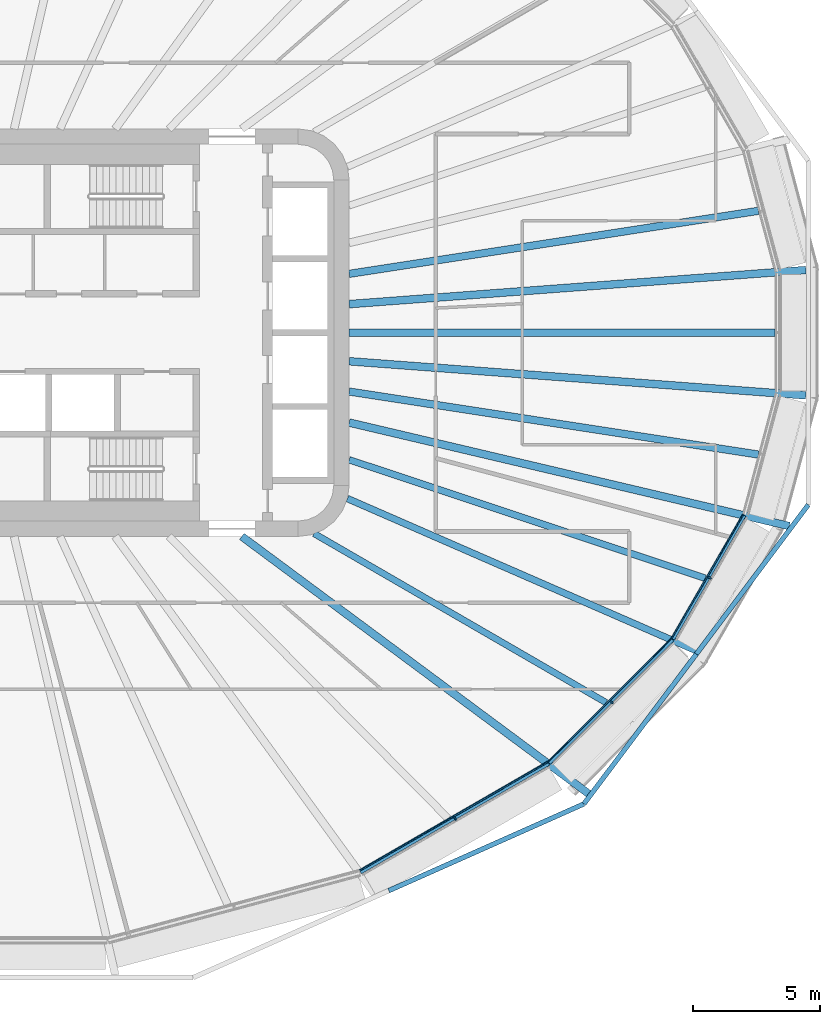
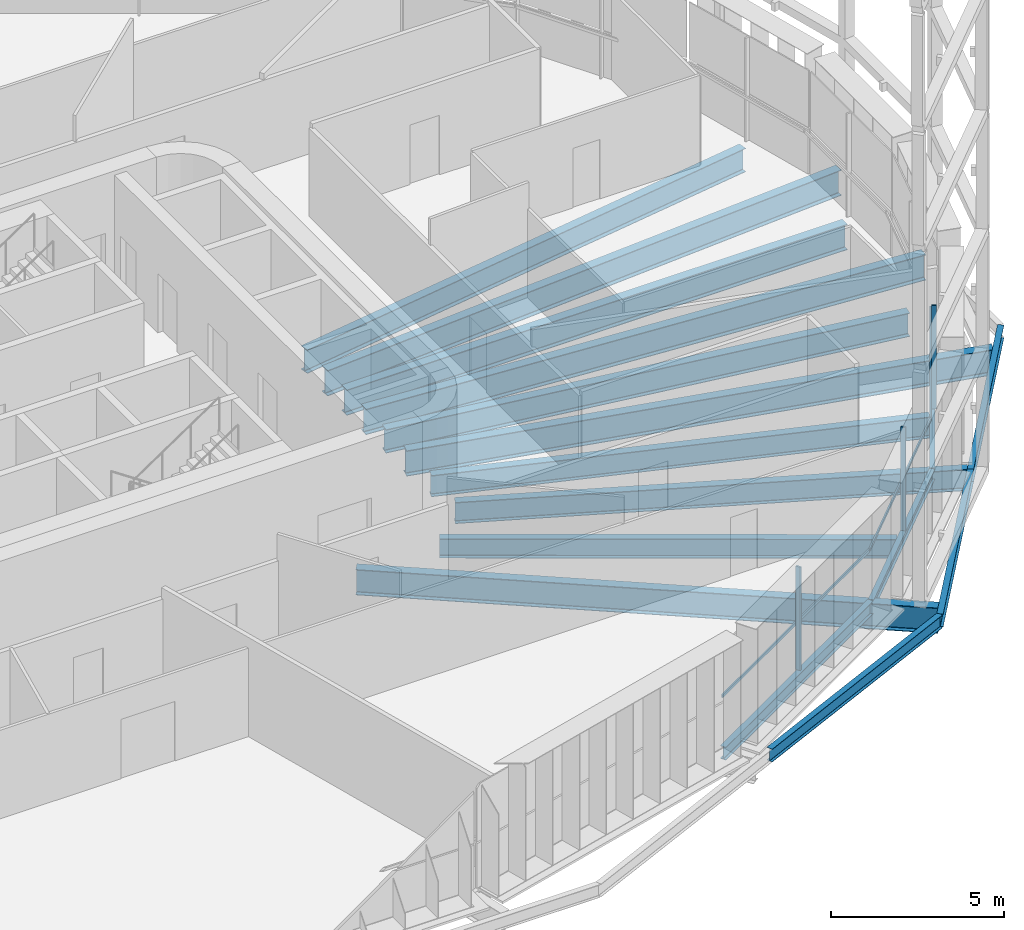
# One storey, part 5 of 26: 16 beams, 6 members, 3 elements without a shape of their own.
"""IFC4 building model written with IfcOpenShell, lengths in metres."""

from ifc_helpers import new_model, si_unit, direction, frame, origin, origin_2d, place, context, subcontext, project, spatial, rectangle, i_section, extrude, material, layer, layer_set, material_profile, profile_set, type_object, element, aggregate, save


model = new_model("IFC4")

# Units and contexts
model_context = context("Model", 3, precision=1e-05, world=origin(), true_north=direction((0.0, 1.0)))
body_context = subcontext(model_context, "Body", "Model", "MODEL_VIEW")
ifc_project = project(units=[si_unit("LENGTHUNIT", "METRE"), si_unit("AREAUNIT", "SQUARE_METRE"), si_unit("VOLUMEUNIT", "CUBIC_METRE"), si_unit("PLANEANGLEUNIT", "RADIAN"), si_unit("MASSUNIT", "GRAM", prefix="KILO")], contexts=[model_context])

# Site, building, storey
site_placement = place(None, origin())
site = spatial("IfcSite", under=ifc_project, at=site_placement, CompositionType="ELEMENT")
building_placement = place(site_placement, origin())
building = spatial("IfcBuilding", under=site, at=building_placement, Name="Sahrelin Media Tower", CompositionType="ELEMENT")
storey_placement = place(building_placement, frame((0.0, 0.0, 102.0)))
storey = spatial("IfcBuildingStorey", under=building, at=storey_placement, Name="L19", CompositionType="ELEMENT", Elevation=102.0)

# Beams
ifc_material_1 = material(Name="Steel S355", Category="steel")
ifc_material_profile_1 = material_profile(ifc_material_1, i_section(OverallWidth=0.1650390625, OverallDepth=0.303466796875, WebThickness=0.006103515625, FlangeThickness=0.01025390625, FilletRadius=0.0087890625, at=origin_2d()), Name="UB 305x165x40")
ifc_profile_set_1 = profile_set([ifc_material_profile_1], Name="Steel S355")
beam_type_1 = type_object("IfcBeamType", Name="Edge beam EB2", PredefinedType="BEAM", material=ifc_profile_set_1)
beam_1_placement = place(storey_placement, frame((30.5048828125, -7.1650390625, -0.3017578125), z_axis=(-0.500017404508, -0.866015355054, 0.0), x_axis=(0.866015355054, -0.500017404508, 0.0)))
element("IfcBeam", 1, at=beam_1_placement, inside=storey, type_object=beam_type_1, Name="Edge beam L19-03", PredefinedType="BEAM", context=body_context, shape_type="SweptSolid", body=[
    extrude(i_section(OverallWidth=0.1650390625, OverallDepth=0.303466796875, WebThickness=0.006103515625, FlangeThickness=0.01025390625, FilletRadius=0.0087890625, at=origin_2d()), origin(), (0.0, 0.0, 1.0), 5.612548828125),
])
ifc_material_profile_2 = material_profile(ifc_material_1, i_section(OverallWidth=0.17138671875, OverallDepth=0.35498046875, WebThickness=0.00732421875, FlangeThickness=0.011474609375, FilletRadius=0.01025390625, at=origin_2d()), Name="UB 356x171x51")
ifc_profile_set_2 = profile_set([ifc_material_profile_2], Name="Steel S355")
beam_type_2 = type_object("IfcBeamType", Name="Edge beam EB3", PredefinedType="BEAM", material=ifc_profile_set_2)
beam_2_placement = place(storey_placement, frame((27.68115234375, -12.048583984375, -0.327392578125), z_axis=(-0.707124646667, -0.707088915255, 0.0), x_axis=(0.707088915255, -0.707124646667, 0.0)))
element("IfcBeam", 2, at=beam_2_placement, inside=storey, type_object=beam_type_2, Name="Edge beam L19-04", PredefinedType="BEAM", context=body_context, shape_type="SweptSolid", body=[
    extrude(i_section(OverallWidth=0.17138671875, OverallDepth=0.35498046875, WebThickness=0.00732421875, FlangeThickness=0.011474609375, FilletRadius=0.01025390625, at=origin_2d()), origin(), (0.0, 0.0, 1.0), 6.832763671875),
])
ifc_material_profile_3 = material_profile(ifc_material_1, i_section(OverallWidth=0.1904296875, OverallDepth=0.45703125, WebThickness=0.009033203125, FlangeThickness=0.014404296875, FilletRadius=0.01025390625, at=origin_2d()), Name="UB 457x191x74")
ifc_profile_set_3 = profile_set([ifc_material_profile_3], Name="Steel S355")
beam_type_3 = type_object("IfcBeamType", Name="Edge beam EB5", PredefinedType="BEAM", material=ifc_profile_set_3)
beam_3_placement = place(storey_placement, frame((22.82666015625, -16.8974609375, -0.37841796875), z_axis=(-0.866017364183, -0.500013924739, 0.0), x_axis=(0.500013924739, -0.866017364183, 0.0)))
element("IfcBeam", 3, at=beam_3_placement, inside=storey, type_object=beam_type_3, Name="Edge beam L19-05", PredefinedType="BEAM", context=body_context, shape_type="SweptSolid", body=[
    extrude(i_section(OverallWidth=0.1904296875, OverallDepth=0.45703125, WebThickness=0.009033203125, FlangeThickness=0.014404296875, FilletRadius=0.01025390625, at=origin_2d()), origin(), (0.0, 0.0, 1.0), 8.531494140625),
])

# Curtain wall, member
ifc_material_2 = material(Name="Champagne anodised aluminium 6063-T6", Category="aluminium")
ifc_layer = layer(ifc_material_2, 0.14990234375)
ifc_layer_set = layer_set([ifc_layer], Name="Tower ribbon curtain wall")
curtain_wall_type = type_object("IfcCurtainWallType", Name="Tower ribbon curtain wall", PredefinedType="NOTDEFINED", material=ifc_layer_set)
curtain_wall_1_placement = place(storey_placement, frame((19.20751953125, -19.160400390625, 0.0), z_axis=(0.0, 0.0, 1.0), x_axis=(1.0, 0.0, 0.0)))
curtain_wall_1 = element("IfcCurtainWall", 4, at=curtain_wall_1_placement, inside=storey, type_object=curtain_wall_type, Name="L19:CW:L19-20", PredefinedType="NOTDEFINED")
ifc_material_profile_4 = material_profile(ifc_material_2, rectangle(XDim=0.06005859375, YDim=0.14990234375, at=origin_2d()), Name="Mullion 60x150")
ifc_profile_set_4 = profile_set([ifc_material_profile_4], Name="Champagne anodised aluminium 6063-T6")
member_type_1 = type_object("IfcMemberType", Name="Mullion 60x150 CW1", PredefinedType="MULLION", material=ifc_profile_set_4)
member_1_placement = place(storey_placement, frame((19.159912109375, -19.077880859375, 0.0), z_axis=(0.0, 0.0, 1.0), x_axis=(0.866024531118, 0.500001511499, 0.0)))
member_1 = element("IfcMember", 5, at=member_1_placement, type_object=member_type_1, Name="L19:CWM:L19-20", PredefinedType="MULLION", context=body_context, shape_type="SweptSolid", body=[
    extrude(rectangle(XDim=0.06005859375, YDim=0.14990234375, at=origin_2d()), origin(), (0.0, 0.0, 1.0), 3.648681640625),
])

curtain_wall_2_placement = place(storey_placement, frame((25.371337890625, -14.5703125, 0.0), z_axis=(0.0, 0.0, 1.0), x_axis=(1.0, 0.0, 0.0)))
curtain_wall_2 = element("IfcCurtainWall", 6, at=curtain_wall_2_placement, inside=storey, type_object=curtain_wall_type, Name="L19:CW:L19-21", PredefinedType="NOTDEFINED")
member_2_placement = place(storey_placement, frame((25.30419921875, -14.503173828125, 0.0), z_axis=(0.0, 0.0, 1.0), x_axis=(0.707106781187, 0.707106781187, 0.0)))
member_2 = element("IfcMember", 7, at=member_2_placement, type_object=member_type_1, Name="L19:CWM:L19-21", PredefinedType="MULLION", context=body_context, shape_type="SweptSolid", body=[
    extrude(rectangle(XDim=0.06005859375, YDim=0.14990234375, at=origin_2d()), origin(), (0.0, 0.0, 1.0), 3.648681640625),
])

curtain_wall_3_placement = place(storey_placement, frame((29.231689453125, -9.67041015625, 0.0), z_axis=(0.0, 0.0, 1.0), x_axis=(1.0, 0.0, 0.0)))
curtain_wall_3 = element("IfcCurtainWall", 8, at=curtain_wall_3_placement, inside=storey, type_object=curtain_wall_type, Name="L19:CW:L19-22", PredefinedType="NOTDEFINED")
member_3_placement = place(storey_placement, frame((29.1494140625, -9.622802734375, 0.0), z_axis=(0.0, 0.0, 1.0), x_axis=(0.500004534492, 0.866022785779, 0.0)))
member_3 = element("IfcMember", 9, at=member_3_placement, type_object=member_type_1, Name="L19:CWM:L19-22", PredefinedType="MULLION", context=body_context, shape_type="SweptSolid", body=[
    extrude(rectangle(XDim=0.06005859375, YDim=0.14990234375, at=origin_2d()), origin(), (0.0, 0.0, 1.0), 3.648681640625),
])

# Beams
ifc_material_profile_5 = material_profile(ifc_material_1, i_section(OverallWidth=0.30322265625, OverallDepth=0.903076171875, WebThickness=0.01513671875, FlangeThickness=0.020263671875, FilletRadius=0.01904296875, at=origin_2d()), Name="UB 914x305x201")
ifc_profile_set_5 = profile_set([ifc_material_profile_5], Name="Steel S355")
beam_type_4 = type_object("IfcBeamType", Name="Radial primary beam PB11", PredefinedType="BEAM", material=ifc_profile_set_5)
beam_4_placement = place(storey_placement, frame((15.0, 1.12109375, -0.6015625), z_axis=(0.997219724808, 0.074517249367, 0.0), x_axis=(-0.074517249367, 0.997219724808, 0.0)))
element("IfcBeam", 10, at=beam_4_placement, inside=storey, type_object=beam_type_4, Name="Radial beam L19-01", PredefinedType="BEAM", context=body_context, shape_type="SweptSolid", body=[
    extrude(i_section(OverallWidth=0.30322265625, OverallDepth=0.903076171875, WebThickness=0.01513671875, FlangeThickness=0.020263671875, FilletRadius=0.01904296875, at=origin_2d()), origin(), (0.0, 0.0, 1.0), 17.983642578125),
])
beam_5_placement = place(storey_placement, frame((10.78466796875, -8.0, -0.6015625), z_axis=(0.803151376875, -0.595775012755, 0.0), x_axis=(0.595775012755, 0.803151376875, 0.0)))
element("IfcBeam", 11, at=beam_5_placement, inside=storey, type_object=beam_type_4, Name="Radial beam L19-21", PredefinedType="BEAM", context=body_context, shape_type="SweptSolid", body=[
    extrude(i_section(OverallWidth=0.30322265625, OverallDepth=0.903076171875, WebThickness=0.01513671875, FlangeThickness=0.020263671875, FilletRadius=0.01904296875, at=origin_2d()), origin(), (0.0, 0.0, 1.0), 16.952880859375),
])
beam_6_placement = place(storey_placement, frame((15.0, -3.528564453125, -0.6015625), z_axis=(0.973431053553, -0.228980313518, 0.0), x_axis=(0.228980313518, 0.973431053553, 0.0)))
element("IfcBeam", 12, at=beam_6_placement, inside=storey, type_object=beam_type_4, Name="Radial beam L19-23", PredefinedType="BEAM", context=body_context, shape_type="SweptSolid", body=[
    extrude(i_section(OverallWidth=0.30322265625, OverallDepth=0.903076171875, WebThickness=0.01513671875, FlangeThickness=0.020263671875, FilletRadius=0.01904296875, at=origin_2d()), origin(), (0.0, 0.0, 1.0), 17.75341796875),
])
beam_7_placement = place(storey_placement, frame((15.0, -1.12109375, -0.6015625), z_axis=(0.997219724808, -0.074517249367, 0.0), x_axis=(0.074517249367, 0.997219724808, 0.0)))
element("IfcBeam", 13, at=beam_7_placement, inside=storey, type_object=beam_type_4, Name="Radial beam L19-24", PredefinedType="BEAM", context=body_context, shape_type="SweptSolid", body=[
    extrude(i_section(OverallWidth=0.30322265625, OverallDepth=0.903076171875, WebThickness=0.01513671875, FlangeThickness=0.020263671875, FilletRadius=0.01904296875, at=origin_2d()), origin(), (0.0, 0.0, 1.0), 17.983642578125),
])
ifc_material_profile_6 = material_profile(ifc_material_1, i_section(OverallWidth=0.26513671875, OverallDepth=0.75390625, WebThickness=0.0126953125, FlangeThickness=0.017578125, FilletRadius=0.0166015625, at=origin_2d()), Name="UB 762x267x147")
ifc_profile_set_6 = profile_set([ifc_material_profile_6], Name="Steel S355")
beam_type_5 = type_object("IfcBeamType", Name="Radial primary beam PB9", PredefinedType="BEAM", material=ifc_profile_set_6)
beam_8_placement = place(storey_placement, frame((14.9326171875, -6.512939453125, -0.527099609375), z_axis=(0.916601932833, -0.399801071442, 0.0), x_axis=(0.399801071442, 0.916601932833, 0.0)))
element("IfcBeam", 14, at=beam_8_placement, inside=storey, type_object=beam_type_5, Name="Radial beam L19-22", PredefinedType="BEAM", context=body_context, shape_type="SweptSolid", body=[
    extrude(i_section(OverallWidth=0.26513671875, OverallDepth=0.75390625, WebThickness=0.0126953125, FlangeThickness=0.017578125, FilletRadius=0.0166015625, at=origin_2d()), origin(), (0.0, 0.0, 1.0), 14.927978515625),
])
ifc_material_profile_7 = material_profile(ifc_material_1, i_section(OverallWidth=0.291748046875, OverallDepth=0.8349609375, WebThickness=0.013916015625, FlangeThickness=0.018798828125, FilletRadius=0.017822265625, at=origin_2d()), Name="UB 838x292x176")
ifc_profile_set_7 = profile_set([ifc_material_profile_7], Name="Steel S355")
beam_type_6 = type_object("IfcBeamType", Name="Radial secondary beam SB10", PredefinedType="BEAM", material=ifc_profile_set_7)
for number, where, z_axis, x_axis, name in (
    (15, (15.0, 2.310302734375, -0.5673828125), (0.988347036521, 0.152217395197, 0.0), (-0.152217395197, 0.988347036521, 0.0), "Secondary beam L19-01"),
    (16, (15.0, -2.310302734375, -0.5673828125), (0.988347036521, -0.152217395197, 0.0), (0.152217395197, 0.988347036521, 0.0), "Secondary beam L19-23"),
):
    element("IfcBeam", number, at=place(storey_placement, frame(where, z_axis=z_axis, x_axis=x_axis)), inside=storey, type_object=beam_type_6, Name=name, PredefinedType="BEAM", context=body_context, shape_type="SweptSolid", body=[
        extrude(i_section(OverallWidth=0.291748046875, OverallDepth=0.8349609375, WebThickness=0.013916015625, FlangeThickness=0.018798828125, FilletRadius=0.017822265625, at=origin_2d()), origin(), (0.0, 0.0, 1.0), 16.26025390625),
    ])
ifc_material_profile_8 = material_profile(ifc_material_1, i_section(OverallWidth=0.30322265625, OverallDepth=0.903076171875, WebThickness=0.01513671875, FlangeThickness=0.020263671875, FilletRadius=0.01904296875, at=origin_2d()), Name="UB 914x305x201")
ifc_profile_set_8 = profile_set([ifc_material_profile_8], Name="Steel S355")
beam_type_7 = type_object("IfcBeamType", Name="Radial secondary beam SB11", PredefinedType="BEAM", material=ifc_profile_set_8)
beam_9_placement = place(storey_placement, frame((15.0, 0.0, -0.6015625), z_axis=(1.0, 0.0, 0.0), x_axis=(0.0, 1.0, 0.0)))
element("IfcBeam", 17, at=beam_9_placement, inside=storey, type_object=beam_type_7, Name="Secondary beam L19-24", PredefinedType="BEAM", context=body_context, shape_type="SweptSolid", body=[
    extrude(i_section(OverallWidth=0.30322265625, OverallDepth=0.903076171875, WebThickness=0.01513671875, FlangeThickness=0.020263671875, FilletRadius=0.01904296875, at=origin_2d()), origin(), (0.0, 0.0, 1.0), 16.72119140625),
])
ifc_material_profile_9 = material_profile(ifc_material_1, i_section(OverallWidth=0.2529296875, OverallDepth=0.677978515625, WebThickness=0.01171875, FlangeThickness=0.01611328125, FilletRadius=0.01513671875, at=origin_2d()), Name="UB 686x254x125")
ifc_profile_set_9 = profile_set([ifc_material_profile_9], Name="Steel S355")
beam_type_8 = type_object("IfcBeamType", Name="Radial secondary beam SB8", PredefinedType="BEAM", material=ifc_profile_set_9)
beam_10_placement = place(storey_placement, frame((13.625, -7.887451171875, -0.489013671875), z_axis=(0.865447741605, -0.500999208134, 0.0), x_axis=(0.500999208134, 0.865447741605, 0.0)))
element("IfcBeam", 18, at=beam_10_placement, inside=storey, type_object=beam_type_8, Name="Secondary beam L19-21", PredefinedType="BEAM", context=body_context, shape_type="SweptSolid", body=[
    extrude(i_section(OverallWidth=0.2529296875, OverallDepth=0.677978515625, WebThickness=0.01171875, FlangeThickness=0.01611328125, FilletRadius=0.01513671875, at=origin_2d()), origin(), (0.0, 0.0, 1.0), 13.2431640625),
])
ifc_material_profile_10 = material_profile(ifc_material_1, i_section(OverallWidth=0.26513671875, OverallDepth=0.75390625, WebThickness=0.0126953125, FlangeThickness=0.017578125, FilletRadius=0.0166015625, at=origin_2d()), Name="UB 762x267x147")
ifc_profile_set_10 = profile_set([ifc_material_profile_10], Name="Steel S355")
beam_type_9 = type_object("IfcBeamType", Name="Radial secondary beam SB9", PredefinedType="BEAM", material=ifc_profile_set_10)
beam_11_placement = place(storey_placement, frame((15.0, -4.989990234375, -0.527099609375), z_axis=(0.948863762476, -0.31568585692, 0.0), x_axis=(0.31568585692, 0.948863762476, 0.0)))
element("IfcBeam", 19, at=beam_11_placement, inside=storey, type_object=beam_type_9, Name="Secondary beam L19-22", PredefinedType="BEAM", context=body_context, shape_type="SweptSolid", body=[
    extrude(i_section(OverallWidth=0.26513671875, OverallDepth=0.75390625, WebThickness=0.0126953125, FlangeThickness=0.017578125, FilletRadius=0.0166015625, at=origin_2d()), origin(), (0.0, 0.0, 1.0), 14.7333984375),
])
ifc_material_profile_11 = material_profile(ifc_material_1, i_section(OverallWidth=0.1904296875, OverallDepth=0.45703125, WebThickness=0.009033203125, FlangeThickness=0.014404296875, FilletRadius=0.01025390625, at=origin_2d()), Name="UB 457x191x74")
ifc_profile_set_11 = profile_set([ifc_material_profile_11], Name="Steel S355")
beam_type_10 = type_object("IfcBeamType", Name="Tie chord TC5", PredefinedType="BEAM", material=ifc_profile_set_11)
beam_12_placement = place(storey_placement, frame((33.02880859375, -6.75634765625, -0.37841796875), z_axis=(-0.600063983577, -0.799952008319, 0.0), x_axis=(0.799952008319, -0.600063983577, 0.0)))
element("IfcBeam", 20, at=beam_12_placement, inside=storey, type_object=beam_type_10, Name="Tie chord L19-02", PredefinedType="BEAM", context=body_context, shape_type="SweptSolid", body=[
    extrude(i_section(OverallWidth=0.1904296875, OverallDepth=0.45703125, WebThickness=0.009033203125, FlangeThickness=0.014404296875, FilletRadius=0.01025390625, at=origin_2d()), origin(), (0.0, 0.0, 1.0), 7.325927734375),
])
beam_13_placement = place(storey_placement, frame((28.6328125, -12.61669921875, -0.37841796875), z_axis=(-0.60010086925, -0.799924338126, 0.0), x_axis=(0.799924338126, -0.60010086925, 0.0)))
element("IfcBeam", 21, at=beam_13_placement, inside=storey, type_object=beam_type_10, Name="Tie chord L19-03", PredefinedType="BEAM", context=body_context, shape_type="SweptSolid", body=[
    extrude(i_section(OverallWidth=0.1904296875, OverallDepth=0.45703125, WebThickness=0.009033203125, FlangeThickness=0.014404296875, FilletRadius=0.01025390625, at=origin_2d()), origin(), (0.0, 0.0, 1.0), 7.357666015625),
])
beam_14_placement = place(storey_placement, frame((24.217529296875, -18.502197265625, -0.37841796875), z_axis=(-0.913791133972, -0.406184395901, 0.0), x_axis=(0.406184395901, -0.913791133972, 0.0)))
element("IfcBeam", 22, at=beam_14_placement, inside=storey, type_object=beam_type_10, Name="Tie chord L19-04", PredefinedType="BEAM", context=body_context, shape_type="SweptSolid", body=[
    extrude(i_section(OverallWidth=0.1904296875, OverallDepth=0.45703125, WebThickness=0.009033203125, FlangeThickness=0.014404296875, FilletRadius=0.01025390625, at=origin_2d()), origin(), (0.0, 0.0, 1.0), 8.38427734375),
])

# Member
ifc_material_profile_12 = material_profile(ifc_material_2, rectangle(XDim=0.050048828125, YDim=0.10009765625, at=origin_2d()), Name="Transom 50x100")
ifc_profile_set_12 = profile_set([ifc_material_profile_12], Name="Champagne anodised aluminium 6063-T6")
member_type_2 = type_object("IfcMemberType", Name="Transom 50x100 CW1", PredefinedType="USERDEFINED", material=ifc_profile_set_12)
member_4_placement = place(storey_placement, frame((15.429443359375, -21.116455078125, 1.60009765625), z_axis=(0.866021522889, 0.500006721848, 0.0), x_axis=(-0.500006721848, 0.866021522889, 0.0)))
member_4 = element("IfcMember", 23, at=member_4_placement, type_object=member_type_2, Name="L19:CWT:L19-20", ObjectType="TRANSOM", PredefinedType="USERDEFINED", context=body_context, shape_type="SweptSolid", body=[
    extrude(rectangle(XDim=0.050048828125, YDim=0.10009765625, at=origin_2d()), origin(), (0.0, 0.0, 1.0), 8.5),
])

aggregate(curtain_wall_1, [member_1, member_4])

member_5_placement = place(storey_placement, frame((22.828857421875, -16.837158203125, 1.60009765625), z_axis=(0.707106781187, 0.707106781187, 0.0), x_axis=(-0.707106781187, 0.707106781187, 0.0)))
member_5 = element("IfcMember", 24, at=member_5_placement, type_object=member_type_2, Name="L19:CWT:L19-21", ObjectType="TRANSOM", PredefinedType="USERDEFINED", context=body_context, shape_type="SweptSolid", body=[
    extrude(rectangle(XDim=0.050048828125, YDim=0.10009765625, at=origin_2d()), origin(), (0.0, 0.0, 1.0), 6.801513671875),
])

aggregate(curtain_wall_2, [member_2, member_5])

member_6_placement = place(storey_placement, frame((27.66748046875, -11.989501953125, 1.60009765625), z_axis=(0.499987512418, 0.866032613373, 0.0), x_axis=(-0.866032613373, 0.499987512418, 0.0)))
member_6 = element("IfcMember", 25, at=member_6_placement, type_object=member_type_2, Name="L19:CWT:L19-22", ObjectType="TRANSOM", PredefinedType="USERDEFINED", context=body_context, shape_type="SweptSolid", body=[
    extrude(rectangle(XDim=0.050048828125, YDim=0.10009765625, at=origin_2d()), origin(), (0.0, 0.0, 1.0), 5.581298828125),
])

aggregate(curtain_wall_3, [member_3, member_6])

save(model, "model.ifc")
